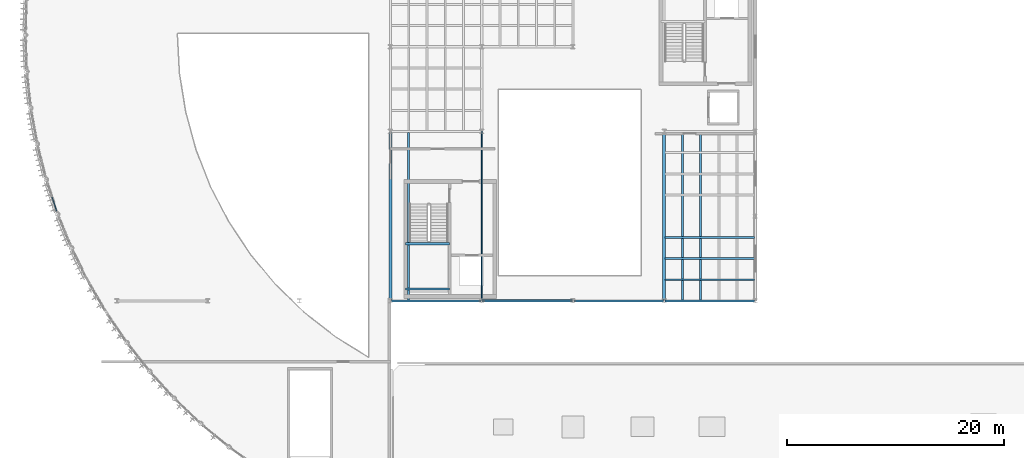
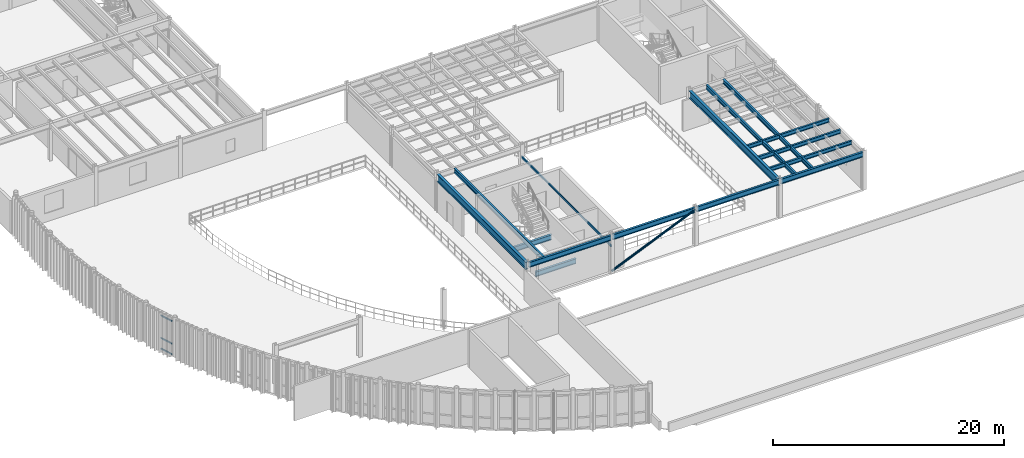
# One storey, part 18 of 54: 15 beams, 4 members, 1 element without a shape of its own.
"""IFC4 building model written with IfcOpenShell, lengths in metres."""

import ifcopenshell
import ifcopenshell.guid

model = None  # the IFC model being written
_history = None  # IfcOwnerHistory: only IFC2X3 demands one
_inside = {}  # id of a spatial element -> (the spatial element, [elements in it])
_under = {}  # id of a project, library or spatial element -> (it, [spatial elements below it])
_declared = {}  # id of a project -> (the project, [libraries it declares])
_typed = {}  # id of a type object -> (the type object, [elements of that type])
_made_of = {}  # id of a material, layer set ... -> (it, [elements and type objects made of it])


def new_model(schema):
    """Start an empty IFC model of exactly this schema.

    Asked for "IFC4X3", IfcOpenShell would pick the latest addendum, in which some entities
    have other attributes; the version numbers below select the first issue.
    IFC2X3 requires an IfcOwnerHistory on every rooted entity: one is made here for all.
    """
    global model, _history
    if schema == "IFC4X3":
        model = ifcopenshell.file(schema_version=(4, 3, 0, 0))
    else:
        model = ifcopenshell.file(schema=schema)
    _inside.clear()
    _under.clear()
    _declared.clear()
    _typed.clear()
    _made_of.clear()
    _history = None
    if model.schema == "IFC2X3":
        org = make("IfcOrganization", Name="unknown")
        user = make(
            "IfcPersonAndOrganization",
            ThePerson=make("IfcPerson", FamilyName="unknown"),
            TheOrganization=org,
        )
        app = make(
            "IfcApplication",
            ApplicationDeveloper=org,
            Version="unknown",
            ApplicationFullName="unknown",
            ApplicationIdentifier="unknown",
        )
        _history = make(
            "IfcOwnerHistory",
            OwningUser=user,
            OwningApplication=app,
            ChangeAction="ADDED",
            CreationDate=0,
        )
    return model


def make(cls, **values):
    """One entity of the class cls with the attributes given. An attribute that is None is left unset."""
    return model.create_entity(
        cls, **{name: value for name, value in values.items() if value is not None}
    )


def rooted(cls, **values):
    """An entity with a GlobalId (a new one), such as an element, a storey or a relation."""
    return make(cls, GlobalId=ifcopenshell.guid.new(), OwnerHistory=_history, **values)


def si_unit(unit_type, name, prefix=None):
    """IfcSIUnit, for example si_unit("LENGTHUNIT", "METRE", prefix="MILLI")."""
    return make("IfcSIUnit", UnitType=unit_type, Prefix=prefix, Name=name)


def assignment(units):
    """IfcUnitAssignment: the units of a project."""
    return None if units is None else make("IfcUnitAssignment", Units=units)


def point(xyz):
    """IfcCartesianPoint."""
    return None if xyz is None else make("IfcCartesianPoint", Coordinates=xyz)


def direction(xyz):
    """IfcDirection."""
    return None if xyz is None else make("IfcDirection", DirectionRatios=xyz)


def frame(location, z_axis=None, x_axis=None):
    """IfcAxis2Placement3D, a coordinate frame: its origin and axes. An axis left out is left unset."""
    return make(
        "IfcAxis2Placement3D",
        Location=point(location),
        Axis=direction(z_axis),
        RefDirection=direction(x_axis),
    )


def frame_2d(location, x_axis=None):
    """IfcAxis2Placement2D, a coordinate frame in the plane: its origin and x axis."""
    return make(
        "IfcAxis2Placement2D", Location=point(location), RefDirection=direction(x_axis)
    )


def origin():
    """The frame at (0, 0, 0) with its axes left unset."""
    return frame((0.0, 0.0, 0.0))


def origin_2d():
    """The frame at (0, 0) in the plane with its x axis left unset."""
    return frame_2d((0.0, 0.0))


def place(relative_to, where):
    """IfcLocalPlacement: puts the frame where relative to a parent placement (None: the world)."""
    return make(
        "IfcLocalPlacement", PlacementRelTo=relative_to, RelativePlacement=where
    )


def context(
    kind, dimensions, precision=None, world=None, true_north=None, identifier=None
):
    """IfcGeometricRepresentationContext, for example the 3D "Model" context."""
    return make(
        "IfcGeometricRepresentationContext",
        ContextIdentifier=identifier,
        ContextType=kind,
        CoordinateSpaceDimension=dimensions,
        Precision=precision,
        WorldCoordinateSystem=world,
        TrueNorth=true_north,
    )


def subcontext(parent, identifier, kind, view, scale=None):
    """IfcGeometricRepresentationSubContext, for example "Body" below "Model"."""
    return make(
        "IfcGeometricRepresentationSubContext",
        ContextIdentifier=identifier,
        ContextType=kind,
        ParentContext=parent,
        TargetScale=scale,
        TargetView=view,
    )


def project(units=None, contexts=None):
    """IfcProject with its units and contexts."""
    return rooted(
        "IfcProject",
        Name="project",
        RepresentationContexts=contexts,
        UnitsInContext=assignment(units),
    )


def spatial(cls, under=None, at=None, **own):
    """A site, building, storey or space (cls), placed at a placement, below another one or the project."""
    s = rooted(cls, ObjectPlacement=at, **own)
    if under is not None:
        _under.setdefault(under.id(), (under, []))[1].append(s)
    return s


def profile(cls, at=None, kind="AREA", **sizes):
    """A parametric profile (cls). Its sizes go by their IFC names, for example OverallWidth=200.0."""
    return make(cls, ProfileType=kind, Position=at, **sizes)


def hollow_rectangle(**sizes):
    """IfcRectangleHollowProfileDef."""
    return profile("IfcRectangleHollowProfileDef", **sizes)


def hollow_circle(**sizes):
    """IfcCircleHollowProfileDef."""
    return profile("IfcCircleHollowProfileDef", **sizes)


def i_section(**sizes):
    """IfcIShapeProfileDef."""
    return profile("IfcIShapeProfileDef", **sizes)


def extrude(swept, where, along, depth):
    """IfcExtrudedAreaSolid: the profile swept, set in the frame where, extruded along a direction by depth."""
    return make(
        "IfcExtrudedAreaSolid",
        SweptArea=swept,
        Position=where,
        ExtrudedDirection=direction(along),
        Depth=depth,
    )


def shape(context_of_items, identifier, shape_type, items):
    """IfcShapeRepresentation: the items that make up one representation, for example the "Body"."""
    return make(
        "IfcShapeRepresentation",
        ContextOfItems=context_of_items,
        RepresentationIdentifier=identifier,
        RepresentationType=shape_type,
        Items=items,
    )


def material(Name=None, Category=None):
    """IfcMaterial."""
    return make("IfcMaterial", Name=Name, Category=Category)


def layer(
    of_material, thickness, ventilated=None, Name=None, Category=None, Priority=None
):
    """IfcMaterialLayer: one layer of a wall or slab, of a material (None: an air gap)."""
    return make(
        "IfcMaterialLayer",
        Material=of_material,
        LayerThickness=thickness,
        IsVentilated=ventilated,
        Name=Name,
        Category=Category,
        Priority=Priority,
    )


def layer_set(layers, Name=None):
    """IfcMaterialLayerSet."""
    return make("IfcMaterialLayerSet", MaterialLayers=layers, LayerSetName=Name)


def material_profile(
    of_material, cross_section, Name=None, Category=None, Priority=None
):
    """IfcMaterialProfile: a cross section and its material."""
    return make(
        "IfcMaterialProfile",
        Name=Name,
        Material=of_material,
        Profile=cross_section,
        Priority=Priority,
        Category=Category,
    )


def profile_set(profiles, Name=None, composite=None):
    """IfcMaterialProfileSet."""
    return make(
        "IfcMaterialProfileSet",
        Name=Name,
        MaterialProfiles=profiles,
        CompositeProfile=composite,
    )


def made_of(thing, what):
    """Note that an element or type object is made of a material, layer set ...; save() writes the relation."""
    if what is not None:
        _made_of.setdefault(what.id(), (what, []))[1].append(thing)
    return thing


def type_object(cls, material=None, **own):
    """A type object (cls), such as IfcWallType, which elements share."""
    return made_of(rooted(cls, **own), material)


def element(
    cls,
    number,
    at=None,
    inside=None,
    cuts=None,
    type_object=None,
    material=None,
    context=None,
    identifier="Body",
    shape_type=None,
    held_by="IfcProductDefinitionShape",
    body=None,
    shapes=None,
    **own,
):
    """One element of the class cls, such as IfcWall. Its Tag is "e" and its number.

    at: its placement. inside: the storey or other place that contains it. cuts: it is an
    opening in that element (IfcRelVoidsElement). A single representation is given by context,
    identifier, shape_type and body (its items); several are given by shapes. held_by: the class
    of the entity that holds the representations. save() writes the other relations.
    """
    e = rooted(cls, Tag="e%d" % number, ObjectPlacement=at, **own)
    if body is not None:
        shapes = [shape(context, identifier, shape_type, body)]
    if shapes is not None:
        e.Representation = make(held_by, Representations=shapes)
    if inside is not None:
        _inside.setdefault(inside.id(), (inside, []))[1].append(e)
    if cuts is not None:
        rooted(
            "IfcRelVoidsElement", RelatingBuildingElement=cuts, RelatedOpeningElement=e
        )
    if type_object is not None:
        _typed.setdefault(type_object.id(), (type_object, []))[1].append(e)
    return made_of(e, material)


def aggregate(whole, parts):
    """IfcRelAggregates: a whole, such as a stair, and the parts it consists of."""
    return rooted("IfcRelAggregates", RelatingObject=whole, RelatedObjects=parts)


def save(model, path):
    """Write the relations noted so far, then the file.

    IfcRelAggregates (storeys below a building ...), IfcRelContainedInSpatialStructure (elements
    in a storey), IfcRelDefinesByType, IfcRelAssociatesMaterial and IfcRelDeclares: one each for
    every whole, place, type object, material and project.
    """
    for whole, parts in _under.values():
        aggregate(whole, parts)
    for where, things in _inside.values():
        rooted(
            "IfcRelContainedInSpatialStructure",
            RelatedElements=things,
            RelatingStructure=where,
        )
    for kind, things in _typed.values():
        rooted("IfcRelDefinesByType", RelatedObjects=things, RelatingType=kind)
    for what, things in _made_of.values():
        rooted("IfcRelAssociatesMaterial", RelatedObjects=things, RelatingMaterial=what)
    for by, libraries in _declared.values():
        rooted("IfcRelDeclares", RelatingContext=by, RelatedDefinitions=libraries)
    model.write(path)


model = new_model("IFC4")

# Units and contexts
model_context = context("Model", 3, precision=1e-05, world=origin(), true_north=direction((0.0, 1.0)))
body_context = subcontext(model_context, "Body", "Model", "MODEL_VIEW")
ifc_project = project(units=[si_unit("LENGTHUNIT", "METRE"), si_unit("AREAUNIT", "SQUARE_METRE"), si_unit("VOLUMEUNIT", "CUBIC_METRE"), si_unit("PLANEANGLEUNIT", "RADIAN"), si_unit("MASSUNIT", "GRAM", prefix="KILO")], contexts=[model_context])

# Site, building, storey
site_placement = place(None, origin())
site = spatial("IfcSite", under=ifc_project, at=site_placement, CompositionType="ELEMENT")
building_placement = place(site_placement, origin())
building = spatial("IfcBuilding", under=site, at=building_placement, Name="Selat Folded Stagehouse", CompositionType="ELEMENT")
storey_placement = place(building_placement, frame((0.0, 0.0, 15.0)))
storey = spatial("IfcBuildingStorey", under=building, at=storey_placement, Name="L03", CompositionType="ELEMENT", Elevation=15.0)

# Beams
ifc_material_1 = material(Name="Steel S355", Category="steel")
ifc_material_profile_1 = material_profile(ifc_material_1, i_section(OverallWidth=0.209228515625, OverallDepth=0.533203125, WebThickness=0.010009765625, FlangeThickness=0.015625, FilletRadius=0.0126953125, at=origin_2d()), Name="UKB 533x210x92")
ifc_profile_set_1 = profile_set([ifc_material_profile_1], Name="Steel S355")
beam_type_1 = type_object("IfcBeamType", Name="BM-GIRD-533x210x92", PredefinedType="BEAM", material=ifc_profile_set_1)
for number, where, z_axis, x_axis, name in (
    (1, (33.679931640625, 23.39990234375, 3.7333984375), (1.0, 0.0, 0.0), (0.0, 1.0, 0.0), "L03 primary x-girder 1269"),
    (2, (42.080078125, 23.39990234375, 3.7333984375), (1.0, 0.0, 0.0), (0.0, 1.0, 0.0), "L03 primary x-girder 1270"),
    (3, (50.47998046875, 23.39990234375, 3.7333984375), (1.0, 0.0, 0.0), (0.0, 1.0, 0.0), "L03 primary x-girder 1271"),
):
    element("IfcBeam", number, at=place(storey_placement, frame(where, z_axis=z_axis, x_axis=x_axis)), inside=storey, type_object=beam_type_1, Name=name, PredefinedType="BEAM", context=body_context, shape_type="SweptSolid", body=[
        extrude(i_section(OverallWidth=0.209228515625, OverallDepth=0.533203125, WebThickness=0.010009765625, FlangeThickness=0.015625, FilletRadius=0.0126953125, at=origin_2d()), origin(), (0.0, 0.0, 1.0), 8.239990234375),
    ])
beam_1_placement = place(storey_placement, frame((58.8798828125, 23.39990234375, 3.7333984375), z_axis=(1.0, 0.0, 0.0), x_axis=(0.0, 1.0, 0.0)))
element("IfcBeam", 4, at=beam_1_placement, inside=storey, type_object=beam_type_1, Name="L03 primary x-girder 1272", PredefinedType="BEAM", context=body_context, shape_type="SweptSolid", body=[
    extrude(i_section(OverallWidth=0.209228515625, OverallDepth=0.533203125, WebThickness=0.010009765625, FlangeThickness=0.015625, FilletRadius=0.0126953125, at=origin_2d()), origin(), (0.0, 0.0, 1.0), 8.240234375),
])
for number, where, z_axis, x_axis, name in (
    (5, (35.0, 24.489990234375, 1.633544921875), (1.0, 0.0, 0.0), (0.0, 1.0, 0.0), "L03 ST-01 landing support beam 1"),
    (6, (35.0, 28.669921875, 1.633544921875), (1.0, 0.0, 0.0), (0.0, 1.0, 0.0), "L03 ST-01 landing support beam 2"),
):
    element("IfcBeam", number, at=place(storey_placement, frame(where, z_axis=z_axis, x_axis=x_axis)), inside=storey, type_object=beam_type_1, Name=name, PredefinedType="BEAM", context=body_context, shape_type="SweptSolid", body=[
        extrude(i_section(OverallWidth=0.209228515625, OverallDepth=0.533203125, WebThickness=0.010009765625, FlangeThickness=0.015625, FilletRadius=0.0126953125, at=origin_2d()), origin(), (0.0, 0.0, 1.0), 4.050048828125),
    ])
ifc_material_profile_2 = material_profile(ifc_material_1, i_section(OverallWidth=0.26806640625, OverallDepth=0.769775390625, WebThickness=0.015625, FlangeThickness=0.025390625, FilletRadius=0.0166015625, at=origin_2d()), Name="UKB 762x267x197")
ifc_profile_set_2 = profile_set([ifc_material_profile_2], Name="Steel S355")
beam_type_2 = type_object("IfcBeamType", Name="BM-GIRD-762x267x197", PredefinedType="BEAM", material=ifc_profile_set_2)
for number, where, z_axis, x_axis, name in (
    (7, (33.60009765625, 23.47998046875, 3.614990234375), (0.0, 1.0, 0.0), (-1.0, 0.0, 0.0), "L03 primary y-girder 1294"),
    (8, (58.800048828125, 23.47998046875, 3.614990234375), (0.0, 1.0, 0.0), (-1.0, 0.0, 0.0), "L03 primary y-girder 1300"),
):
    element("IfcBeam", number, at=place(storey_placement, frame(where, z_axis=z_axis, x_axis=x_axis)), inside=storey, type_object=beam_type_2, Name=name, PredefinedType="BEAM", context=body_context, shape_type="SweptSolid", body=[
        extrude(i_section(OverallWidth=0.26806640625, OverallDepth=0.769775390625, WebThickness=0.015625, FlangeThickness=0.025390625, FilletRadius=0.0166015625, at=origin_2d()), origin(), (0.0, 0.0, 1.0), 15.43994140625),
    ])

# Curtain wall, members
ifc_material_2 = material(Name="Aluminium 6063-T6", Category="aluminium")
ifc_layer = layer(ifc_material_2, 0.18505859375)
ifc_layer_set = layer_set([ifc_layer], Name="Aluminium 6063-T6")
curtain_wall_type = type_object("IfcCurtainWallType", Name="CW-DRM-UPPER", PredefinedType="NOTDEFINED", material=ifc_layer_set)
curtain_wall_placement = place(storey_placement, origin())
curtain_wall = element("IfcCurtainWall", 9, at=curtain_wall_placement, inside=storey, type_object=curtain_wall_type, Name="L03 curtain wall CW-DRM-L03-06", PredefinedType="NOTDEFINED")
ifc_material_profile_3 = material_profile(ifc_material_2, hollow_rectangle(XDim=0.06494140625, YDim=0.139892578125, WallThickness=0.00390625, at=origin_2d()), Name="ALU 140x65x4.0")
ifc_profile_set_3 = profile_set([ifc_material_profile_3], Name="Aluminium 6063-T6")
member_type_1 = type_object("IfcMemberType", Name="CWM-TRN-140x65", PredefinedType="USERDEFINED", material=ifc_profile_set_3)
member_1_placement = place(storey_placement, frame((2.868896484375, 31.683349609375, 0.032470703125), z_axis=(-0.312993731662, 0.949755191584, 0.0), x_axis=(-0.949755191584, -0.312993731662, 0.0)))
member_1 = element("IfcMember", 10, at=member_1_placement, type_object=member_type_1, Name="CW-03 transom 1.1", ObjectType="TRANSOM", PredefinedType="USERDEFINED", context=body_context, shape_type="SweptSolid", body=[
    extrude(hollow_rectangle(XDim=0.06494140625, YDim=0.139892578125, WallThickness=0.00390625, at=origin_2d()), origin(), (0.0, 0.0, 1.0), 1.3369140625),
])
member_2_placement = place(storey_placement, frame((2.868896484375, 31.683349609375, 1.14990234375), z_axis=(-0.312993731662, 0.949755191584, 0.0), x_axis=(-0.949755191584, -0.312993731662, 0.0)))
member_2 = element("IfcMember", 11, at=member_2_placement, type_object=member_type_1, Name="CW-03 transom 1.2", ObjectType="TRANSOM", PredefinedType="USERDEFINED", context=body_context, shape_type="SweptSolid", body=[
    extrude(hollow_rectangle(XDim=0.06494140625, YDim=0.139892578125, WallThickness=0.00390625, at=origin_2d()), origin(), (0.0, 0.0, 1.0), 1.3369140625),
])
member_3_placement = place(storey_placement, frame((2.868896484375, 31.683349609375, 3.527587890625), z_axis=(-0.312993731662, 0.949755191584, 0.0), x_axis=(-0.949755191584, -0.312993731662, 0.0)))
member_3 = element("IfcMember", 12, at=member_3_placement, type_object=member_type_1, Name="CW-03 transom 1.3", ObjectType="TRANSOM", PredefinedType="USERDEFINED", context=body_context, shape_type="SweptSolid", body=[
    extrude(hollow_rectangle(XDim=0.06494140625, YDim=0.139892578125, WallThickness=0.00390625, at=origin_2d()), origin(), (0.0, 0.0, 1.0), 1.3369140625),
])
aggregate(curtain_wall, [member_1, member_2, member_3])

# Beams
ifc_material_profile_4 = material_profile(ifc_material_1, i_section(OverallWidth=0.177978515625, OverallDepth=0.406494140625, WebThickness=0.0078125, FlangeThickness=0.0126953125, FilletRadius=0.01025390625, at=origin_2d()), Name="UKB 406x178x60")
ifc_profile_set_4 = profile_set([ifc_material_profile_4], Name="Steel S355")
beam_type_3 = type_object("IfcBeamType", Name="JST-406x178x60", PredefinedType="JOIST", material=ifc_profile_set_4)
for number, where, z_axis, x_axis, name in (
    (13, (58.893798828125, 25.35009765625, 3.796875), (1.0, 0.0, 0.0), (0.0, 1.0, 0.0), "L03 secondary x-joist 1344"),
    (14, (58.893798828125, 27.300048828125, 3.796875), (1.0, 0.0, 0.0), (0.0, 1.0, 0.0), "L03 secondary x-joist 1345"),
    (15, (58.893798828125, 29.25, 3.796875), (1.0, 0.0, 0.0), (0.0, 1.0, 0.0), "L03 secondary x-joist 1346"),
):
    element("IfcBeam", number, at=place(storey_placement, frame(where, z_axis=z_axis, x_axis=x_axis)), inside=storey, type_object=beam_type_3, Name=name, PredefinedType="JOIST", context=body_context, shape_type="SweptSolid", body=[
        extrude(i_section(OverallWidth=0.177978515625, OverallDepth=0.406494140625, WebThickness=0.0078125, FlangeThickness=0.0126953125, FilletRadius=0.01025390625, at=origin_2d()), origin(), (0.0, 0.0, 1.0), 8.232421875),
    ])
ifc_material_profile_5 = material_profile(ifc_material_1, i_section(OverallWidth=0.18994140625, OverallDepth=0.453369140625, WebThickness=0.008544921875, FlangeThickness=0.0126953125, FilletRadius=0.01025390625, at=origin_2d()), Name="UKB 457x191x67")
ifc_profile_set_5 = profile_set([ifc_material_profile_5], Name="Steel S355")
beam_type_4 = type_object("IfcBeamType", Name="JST-457x191x67", PredefinedType="JOIST", material=ifc_profile_set_5)
for number, where, z_axis, x_axis, name in (
    (16, (35.280029296875, 23.473388671875, 3.773193359375), (0.0, 1.0, 0.0), (-1.0, 0.0, 0.0), "L03 secondary floor joist 1327"),
    (17, (60.47998046875, 23.473388671875, 3.773193359375), (0.0, 1.0, 0.0), (-1.0, 0.0, 0.0), "L03 secondary floor joist 1340"),
    (18, (62.159912109375, 23.473388671875, 3.773193359375), (0.0, 1.0, 0.0), (-1.0, 0.0, 0.0), "L03 secondary floor joist 1341"),
):
    element("IfcBeam", number, at=place(storey_placement, frame(where, z_axis=z_axis, x_axis=x_axis)), inside=storey, type_object=beam_type_4, Name=name, PredefinedType="JOIST", context=body_context, shape_type="SweptSolid", body=[
        extrude(i_section(OverallWidth=0.18994140625, OverallDepth=0.453369140625, WebThickness=0.008544921875, FlangeThickness=0.0126953125, FilletRadius=0.01025390625, at=origin_2d()), origin(), (0.0, 0.0, 1.0), 15.453369140625),
    ])
ifc_material_profile_6 = material_profile(ifc_material_1, hollow_rectangle(XDim=0.10009765625, YDim=0.199951171875, WallThickness=0.008056640625, at=origin_2d()), Name="RHS 200x100x8.0")
ifc_profile_set_6 = profile_set([ifc_material_profile_6], Name="Steel S355")
beam_type_5 = type_object("IfcBeamType", Name="LNT-RHS-200x100", PredefinedType="LINTEL", material=ifc_profile_set_6)
beam_2_placement = place(storey_placement, frame((42.0, 23.39990234375, 2.800048828125), z_axis=(0.0, 1.0, 0.0), x_axis=(-1.0, 0.0, 0.0)))
element("IfcBeam", 19, at=beam_2_placement, inside=storey, type_object=beam_type_5, Name="L03 structural lintel beam 10", PredefinedType="LINTEL", context=body_context, shape_type="SweptSolid", body=[
    extrude(hollow_rectangle(XDim=0.10009765625, YDim=0.199951171875, WallThickness=0.008056640625, at=origin_2d()), origin(), (0.0, 0.0, 1.0), 15.60009765625),
])

# Member
ifc_material_profile_7 = material_profile(ifc_material_1, hollow_circle(Radius=0.109619140625, WallThickness=0.010009765625, at=origin_2d()), Name="CHS 219.1x10.0")
ifc_profile_set_7 = profile_set([ifc_material_profile_7], Name="Steel S355")
member_type_2 = type_object("IfcMemberType", Name="MEM-BRACE-INT219", PredefinedType="BRACE", material=ifc_profile_set_7)
member_4_placement = place(storey_placement, frame((42.0, 23.39990234375, 0.14990234375), z_axis=(0.919139502787, 0.0, 0.393932195201), x_axis=(0.0, 1.0, 0.0)))
element("IfcMember", 20, at=member_4_placement, inside=storey, type_object=member_type_2, Name="L03 vertical frame brace 04", PredefinedType="BRACE", context=body_context, shape_type="SweptSolid", body=[
    extrude(hollow_circle(Radius=0.109619140625, WallThickness=0.010009765625, at=origin_2d()), origin(), (0.0, 0.0, 1.0), 9.138916015625),
])

save(model, "model.ifc")
